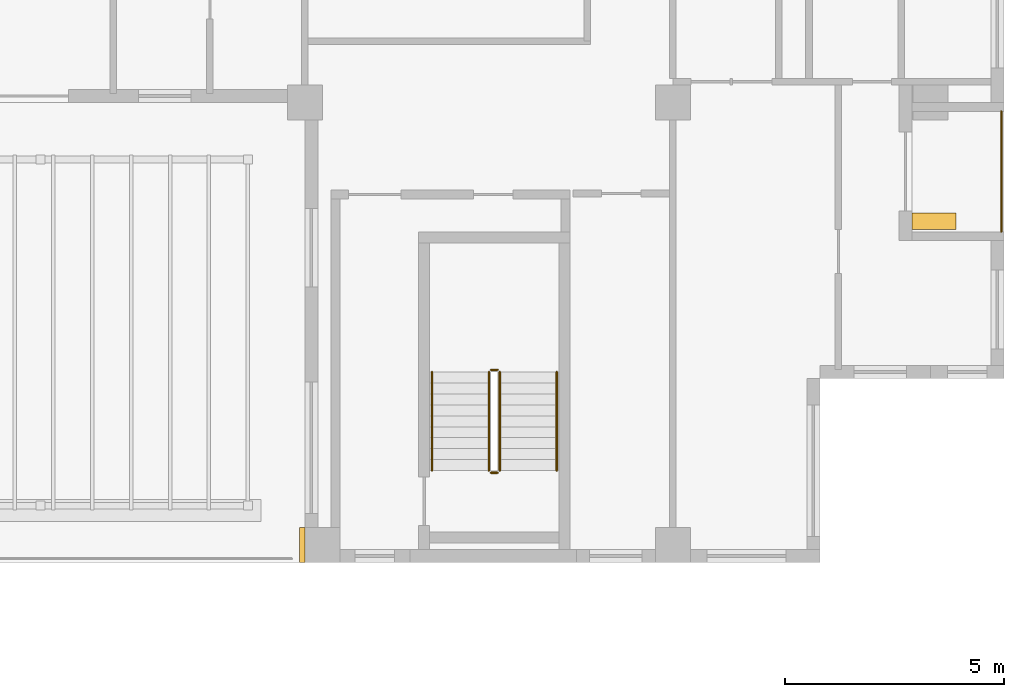
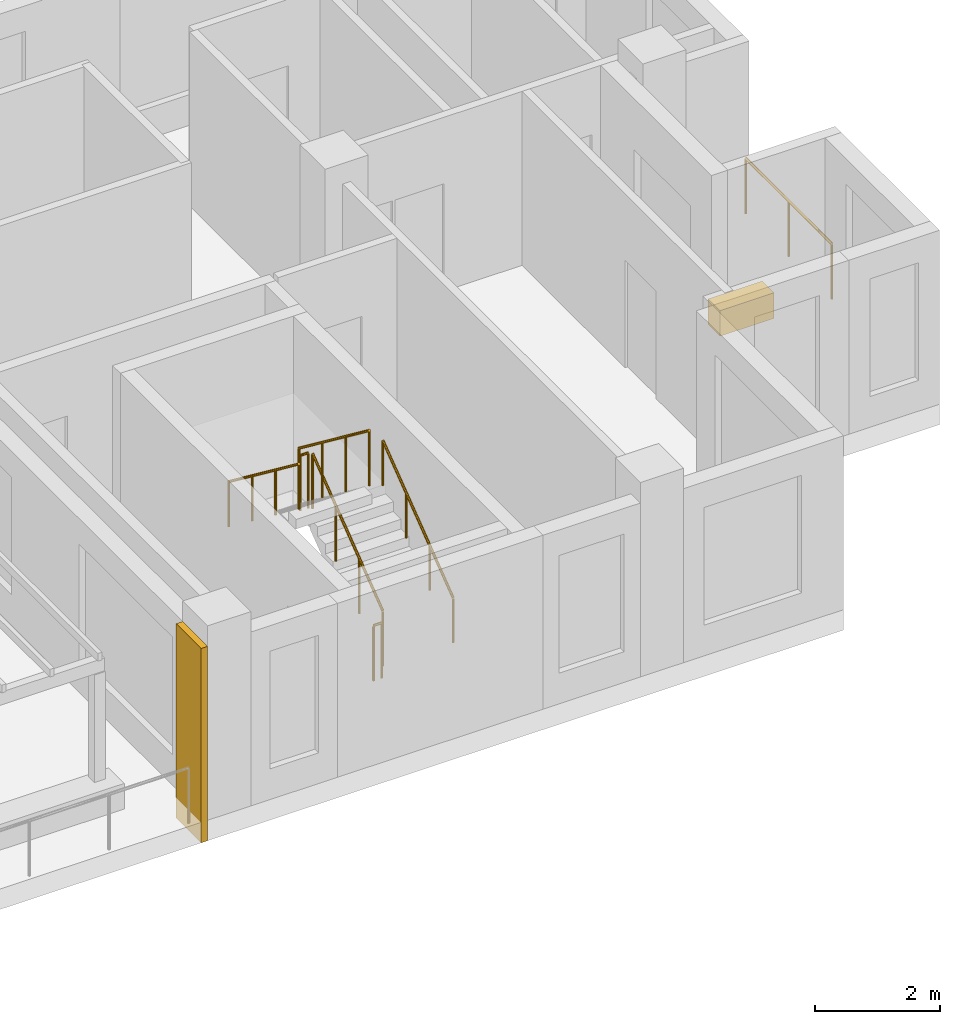
# One storey, part 12 of 13: 7 railings, 2 coverings.
"""IFC4 building model written with IfcOpenShell, lengths in metres."""

from ifc_helpers import new_model, si_unit, direction, frame, origin, origin_2d, place, context, subcontext, project, spatial, rectangle, circle, extrude, source, transform, mapped, material, type_object, element, save


model = new_model("IFC4")

# Units and contexts
model_context = context("Model", 3, precision=1e-05, world=origin(), true_north=direction((0.0, 1.0)))
body_context = subcontext(model_context, "Body", "Model", "MODEL_VIEW")
ifc_project = project(units=[si_unit("LENGTHUNIT", "METRE"), si_unit("AREAUNIT", "SQUARE_METRE"), si_unit("VOLUMEUNIT", "CUBIC_METRE"), si_unit("PLANEANGLEUNIT", "RADIAN"), si_unit("MASSUNIT", "GRAM", prefix="KILO")], contexts=[model_context])

# Site, building, storey
site_placement = place(None, origin())
site = spatial("IfcSite", under=ifc_project, at=site_placement, CompositionType="ELEMENT")
building_placement = place(site_placement, origin())
building = spatial("IfcBuilding", under=site, at=building_placement, Name="Aurelian Terraces", CompositionType="ELEMENT")
storey_placement = place(building_placement, frame((0.0, 0.0, 253.8)))
storey = spatial("IfcBuildingStorey", under=building, at=storey_placement, Name="L58", CompositionType="ELEMENT", Elevation=253.8)

# Railing
ifc_material_1 = material(Name="Anodised aluminium", Category="aluminium")
railing_type_1 = type_object("IfcRailingType", Name="GUARD-1100", PredefinedType="GUARDRAIL", material=ifc_material_1)
shared_shape_1 = source(origin(), body_context, "Body", "SweptSolid", [
    extrude(circle(Radius=0.024, at=origin_2d()), frame((0.0, 0.0, 1.076), z_axis=(0.0, 1.0, 0.0), x_axis=(-1.0, 0.0, 0.0)), (0.0, 0.0, 1.0), 2.75),
    extrude(circle(Radius=0.021, at=origin_2d()), origin(), (0.0, 0.0, 1.0), 1.052),
    extrude(circle(Radius=0.021, at=origin_2d()), frame((0.0, 1.375, 0.0)), (0.0, 0.0, 1.0), 1.052),
    extrude(circle(Radius=0.021, at=origin_2d()), frame((0.0, 2.75, 0.0)), (0.0, 0.0, 1.0), 1.052),
])
railing_1_placement = place(storey_placement, frame((53.7, 7.55, 0.05)))
element("IfcRailing", 1, at=railing_1_placement, inside=storey, type_object=railing_type_1, Name="Loggia guard L58 F08.15", PredefinedType="GUARDRAIL", context=body_context, shape_type="MappedRepresentation", body=[
    mapped(shared_shape_1, transform((0.0, 0.0, 0.0), scale=1.0)),
])

# Coverings
ifc_material_2 = material(Name="Terracotta planter with planting soil", Category="masonry")
covering_type_1 = type_object("IfcCoveringType", Name="PLANTER-TROUGH", PredefinedType="USERDEFINED", material=ifc_material_2)
shared_shape_2 = source(origin(), body_context, "Body", "SweptSolid", [
    extrude(rectangle(XDim=1.0, YDim=0.38, at=origin_2d()), origin(), (0.0, 0.0, 1.0), 0.5),
])
covering_1_placement = place(storey_placement, frame((52.16, 7.79, 0.0), z_axis=(0.0, 0.0, 1.0), x_axis=(1.0, 0.0, 0.0)))
element("IfcCovering", 2, at=covering_1_placement, inside=storey, type_object=covering_type_1, Name="PLANTER L58 L58-F08-15", ObjectType="PLANTER", PredefinedType="USERDEFINED", context=body_context, shape_type="MappedRepresentation", body=[
    mapped(shared_shape_2, transform((0.0, 0.0, 0.0), scale=1.0)),
])
ifc_material_3 = material(Name="Terracotta rainscreen cladding relief", Category="masonry")
covering_type_2 = type_object("IfcCoveringType", Name="BAGUETTE-TC", PredefinedType="CLADDING", material=ifc_material_3)
shared_shape_3 = source(origin(), body_context, "Body", "SweptSolid", [
    extrude(rectangle(XDim=0.12, YDim=0.8, at=origin_2d()), origin(), (0.0, 0.0, 1.0), 3.8),
])
covering_2_placement = place(storey_placement, frame((37.74, 0.4, -0.4), z_axis=(0.0, 0.0, 1.0), x_axis=(1.0, 0.0, 0.0)))
element("IfcCovering", 3, at=covering_2_placement, inside=storey, type_object=covering_type_2, Name="BAGUETTE pier L58 2", PredefinedType="CLADDING", context=body_context, shape_type="MappedRepresentation", body=[
    mapped(shared_shape_3, transform((0.0, 0.0, 0.0), scale=1.0)),
])

# Railings
ifc_material_4 = material(Name="Stainless steel", Category="steel")
railing_type_2 = type_object("IfcRailingType", Name="Stair guard 1100", PredefinedType="GUARDRAIL", material=ifc_material_4)
shared_shape_4 = source(origin(), body_context, "Body", "SweptSolid", [
    extrude(circle(Radius=0.024, at=origin_2d()), frame((0.0, 0.0, 1.076), z_axis=(-1.0, 0.0, 0.0), x_axis=(0.0, -1.0, 0.0)), (0.0, 0.0, 1.0), 0.15),
    extrude(circle(Radius=0.021, at=origin_2d()), origin(), (0.0, 0.0, 1.0), 1.052),
    extrude(circle(Radius=0.021, at=origin_2d()), frame((-0.15, 0.0, 0.0)), (0.0, 0.0, 1.0), 1.052),
])
for number, where, name in (
    (4, (42.2, 4.4, 1.9), "L58 S2 stair guard 2"),
    (5, (42.2, 2.05, 0.0), "L58 S2 stair guard 4"),
):
    element("IfcRailing", number, at=place(storey_placement, frame(where)), inside=storey, type_object=railing_type_2, Name=name, PredefinedType="GUARDRAIL", context=body_context, shape_type="MappedRepresentation", body=[
        mapped(shared_shape_4, transform((0.0, 0.0, 0.0), scale=1.0)),
    ])
shared_shape_5 = source(origin(), body_context, "Body", "SweptSolid", [
    extrude(circle(Radius=0.024, at=origin_2d()), frame((0.0, 0.0, 1.076), z_axis=(0.0, 0.796162194123, 0.605083267534), x_axis=(-1.0, 0.0, 0.0)), (0.0, 0.0, 1.0), 2.8261),
    extrude(circle(Radius=0.021, at=origin_2d()), origin(), (0.0, 0.0, 1.0), 1.052),
    extrude(circle(Radius=0.021, at=origin_2d()), frame((0.0, 0.75, 0.57)), (0.0, 0.0, 1.0), 1.052),
    extrude(circle(Radius=0.021, at=origin_2d()), frame((0.0, 1.5, 1.14)), (0.0, 0.0, 1.0), 1.052),
    extrude(circle(Radius=0.021, at=origin_2d()), frame((0.0, 2.25, 1.71)), (0.0, 0.0, 1.0), 1.052),
])
railing_2_placement = place(storey_placement, frame((42.25, 2.1, 0.19)))
element("IfcRailing", 6, at=railing_2_placement, inside=storey, type_object=railing_type_2, Name="L58 S2 stair guard 1", PredefinedType="GUARDRAIL", context=body_context, shape_type="MappedRepresentation", body=[
    mapped(shared_shape_5, transform((0.0, 0.0, 0.0), scale=1.0)),
])
shared_shape_6 = source(origin(), body_context, "Body", "SweptSolid", [
    extrude(circle(Radius=0.024, at=origin_2d()), frame((0.0, 0.0, 1.076), z_axis=(0.0, -0.796162194123, 0.605083267534), x_axis=(1.0, 0.0, 0.0)), (0.0, 0.0, 1.0), 2.8261),
    extrude(circle(Radius=0.021, at=origin_2d()), origin(), (0.0, 0.0, 1.0), 1.052),
    extrude(circle(Radius=0.021, at=origin_2d()), frame((0.0, -0.75, 0.57)), (0.0, 0.0, 1.0), 1.052),
    extrude(circle(Radius=0.021, at=origin_2d()), frame((0.0, -1.5, 1.14)), (0.0, 0.0, 1.0), 1.052),
    extrude(circle(Radius=0.021, at=origin_2d()), frame((0.0, -2.25, 1.71)), (0.0, 0.0, 1.0), 1.052),
])
railing_3_placement = place(storey_placement, frame((42.0, 4.35, 2.09)))
element("IfcRailing", 7, at=railing_3_placement, inside=storey, type_object=railing_type_2, Name="L58 S2 stair guard 3", PredefinedType="GUARDRAIL", context=body_context, shape_type="MappedRepresentation", body=[
    mapped(shared_shape_6, transform((0.0, 0.0, 0.0), scale=1.0)),
])
railing_type_3 = type_object("IfcRailingType", Name="Stair handrail", PredefinedType="HANDRAIL", material=ifc_material_4)
shared_shape_7 = source(origin(), body_context, "Body", "SweptSolid", [
    extrude(circle(Radius=0.024, at=origin_2d()), frame((0.0, 0.0, 0.876), z_axis=(0.0, 0.796162194123, 0.605083267534), x_axis=(-1.0, 0.0, 0.0)), (0.0, 0.0, 1.0), 2.8261),
    extrude(circle(Radius=0.021, at=origin_2d()), origin(), (0.0, 0.0, 1.0), 0.852),
    extrude(circle(Radius=0.021, at=origin_2d()), frame((0.0, 0.75, 0.57)), (0.0, 0.0, 1.0), 0.852),
    extrude(circle(Radius=0.021, at=origin_2d()), frame((0.0, 1.5, 1.14)), (0.0, 0.0, 1.0), 0.852),
    extrude(circle(Radius=0.021, at=origin_2d()), frame((0.0, 2.25, 1.71)), (0.0, 0.0, 1.0), 0.852),
])
railing_4_placement = place(storey_placement, frame((43.55, 2.1, 0.19)))
element("IfcRailing", 8, at=railing_4_placement, inside=storey, type_object=railing_type_3, Name="L58 S2 stair handrail 1", PredefinedType="HANDRAIL", context=body_context, shape_type="MappedRepresentation", body=[
    mapped(shared_shape_7, transform((0.0, 0.0, 0.0), scale=1.0)),
])
shared_shape_8 = source(origin(), body_context, "Body", "SweptSolid", [
    extrude(circle(Radius=0.024, at=origin_2d()), frame((0.0, 0.0, 0.876), z_axis=(0.0, -0.796162194123, 0.605083267534), x_axis=(1.0, 0.0, 0.0)), (0.0, 0.0, 1.0), 2.8261),
    extrude(circle(Radius=0.021, at=origin_2d()), origin(), (0.0, 0.0, 1.0), 0.852),
    extrude(circle(Radius=0.021, at=origin_2d()), frame((0.0, -0.75, 0.57)), (0.0, 0.0, 1.0), 0.852),
    extrude(circle(Radius=0.021, at=origin_2d()), frame((0.0, -1.5, 1.14)), (0.0, 0.0, 1.0), 0.852),
    extrude(circle(Radius=0.021, at=origin_2d()), frame((0.0, -2.25, 1.71)), (0.0, 0.0, 1.0), 0.852),
])
railing_5_placement = place(storey_placement, frame((40.7, 4.35, 2.09)))
element("IfcRailing", 9, at=railing_5_placement, inside=storey, type_object=railing_type_3, Name="L58 S2 stair handrail 2", PredefinedType="HANDRAIL", context=body_context, shape_type="MappedRepresentation", body=[
    mapped(shared_shape_8, transform((0.0, 0.0, 0.0), scale=1.0)),
])

save(model, "model.ifc")
